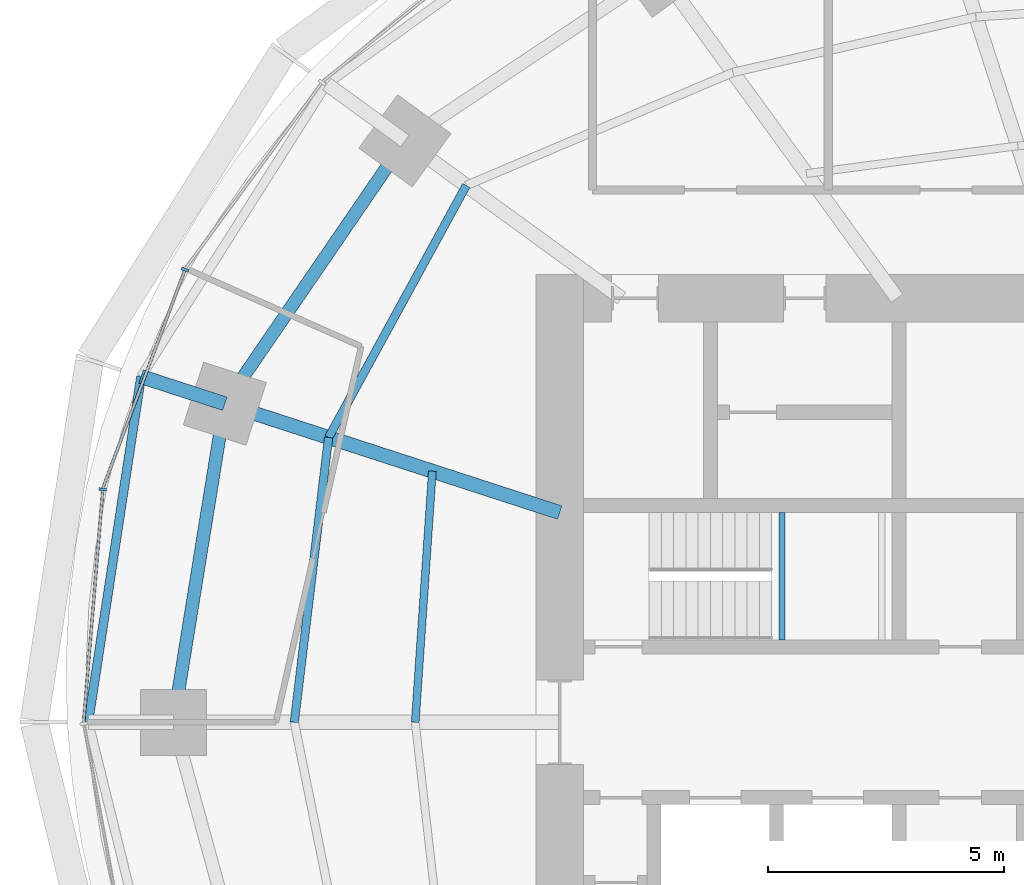
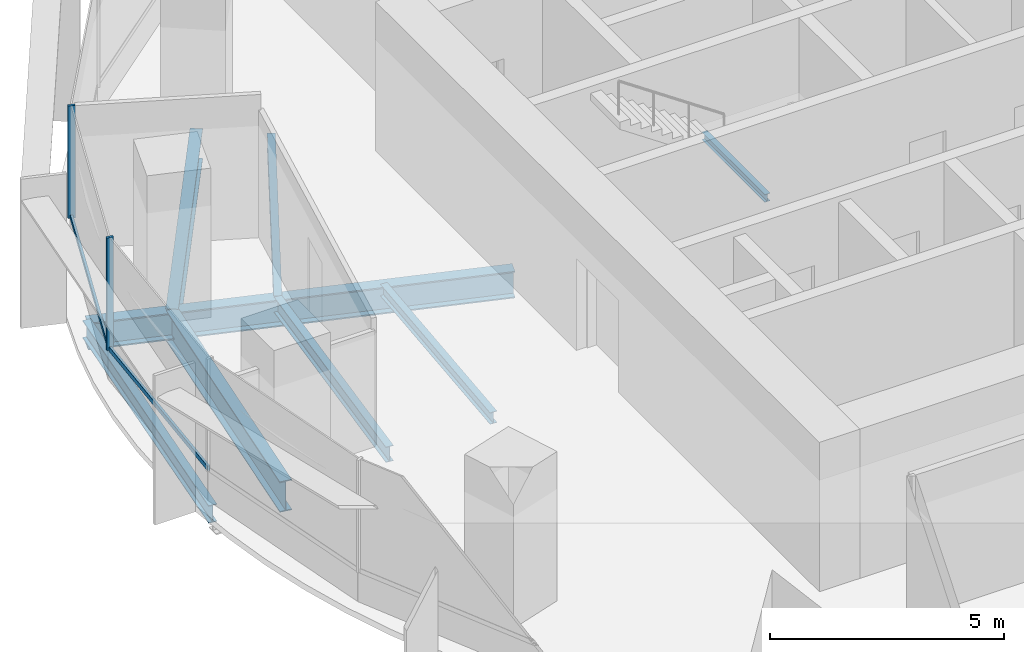
# One storey, part 4 of 14: 9 beams, 4 members, 1 element without a shape of its own.
"""IFC4 building model written with IfcOpenShell, lengths in metres."""

from ifc_helpers import new_model, si_unit, direction, frame, origin, origin_2d, place, context, subcontext, project, spatial, rectangle, i_section, extrude, material, material_profile, profile_set, type_object, element, aggregate, save


model = new_model("IFC4")

# Units and contexts
model_context = context("Model", 3, precision=1e-05, world=origin(), true_north=direction((0.0, 1.0)))
body_context = subcontext(model_context, "Body", "Model", "MODEL_VIEW")
ifc_project = project(units=[si_unit("LENGTHUNIT", "METRE"), si_unit("AREAUNIT", "SQUARE_METRE"), si_unit("VOLUMEUNIT", "CUBIC_METRE"), si_unit("PLANEANGLEUNIT", "RADIAN"), si_unit("MASSUNIT", "GRAM", prefix="KILO")], contexts=[model_context])

# Site, building, storey
site_placement = place(None, origin())
site = spatial("IfcSite", under=ifc_project, at=site_placement, CompositionType="ELEMENT")
building_placement = place(site_placement, origin())
building = spatial("IfcBuilding", under=site, at=building_placement, Name="Marramba Exchange Tower", CompositionType="ELEMENT")
storey_placement = place(building_placement, frame((0.0, 0.0, 238.39990234375)))
storey = spatial("IfcBuildingStorey", under=building, at=storey_placement, Name="L58", CompositionType="ELEMENT", Elevation=238.39990234375)

# Beams
ifc_material_1 = material(Name="Steel AS/NZS 3679.2 grade 300", Category="steel")
ifc_material_profile_1 = material_profile(ifc_material_1, i_section(OverallWidth=0.300048828125, OverallDepth=0.699951171875, WebThickness=0.010009765625, FlangeThickness=0.031982421875, at=origin_2d()), Name="700WB173")
ifc_profile_set_1 = profile_set([ifc_material_profile_1], Name="Steel AS/NZS 3679.2 grade 300")
beam_type_1 = type_object("IfcBeamType", Name="Cantilever girder 700WB173", PredefinedType="BEAM", material=ifc_profile_set_1)
beam_1_placement = place(storey_placement, frame((-20.808349609375, 6.760986328125, -0.510009765625), z_axis=(-0.951047511993, 0.309044705395, 0.0), x_axis=(-0.309044705395, -0.951047511993, 0.0)))
element("IfcBeam", 1, at=beam_1_placement, inside=storey, type_object=beam_type_1, Name="Cantilever girder L58 TC10", PredefinedType="BEAM", context=body_context, shape_type="SweptSolid", body=[
    extrude(i_section(OverallWidth=0.300048828125, OverallDepth=0.699951171875, WebThickness=0.010009765625, FlangeThickness=0.031982421875, at=origin_2d()), origin(), (0.0, 0.0, 1.0), 1.868408203125),
])
ifc_material_2 = material(Name="Steel AS/NZS 3679.1 grade 300", Category="steel")
ifc_material_profile_2 = material_profile(ifc_material_2, i_section(OverallWidth=0.166015625, OverallDepth=0.306884765625, WebThickness=0.006591796875, FlangeThickness=0.01171875, FilletRadius=0.011474609375, at=origin_2d()), Name="310UB46.2")
ifc_profile_set_2 = profile_set([ifc_material_profile_2], Name="Steel AS/NZS 3679.1 grade 300")
beam_type_2 = type_object("IfcBeamType", Name="Floor joist 310UB46.2", PredefinedType="JOIST", material=ifc_profile_set_2)
beam_2_placement = place(storey_placement, frame((-16.40283203125, 5.32958984375, -0.3134765625), z_axis=(-0.068096259546, -0.99767875563, 0.0), x_axis=(0.99767875563, -0.068096259546, 0.0)))
element("IfcBeam", 2, at=beam_2_placement, inside=storey, type_object=beam_type_2, Name="Joist L58 bay 10 row 1", PredefinedType="JOIST", context=body_context, shape_type="SweptSolid", body=[
    extrude(i_section(OverallWidth=0.166015625, OverallDepth=0.306884765625, WebThickness=0.006591796875, FlangeThickness=0.01171875, FilletRadius=0.011474609375, at=origin_2d()), origin(), (0.0, 0.0, 1.0), 5.342041015625),
])
ifc_material_profile_3 = material_profile(ifc_material_2, i_section(OverallWidth=0.177978515625, OverallDepth=0.406005859375, WebThickness=0.0078125, FlangeThickness=0.0126953125, FilletRadius=0.011474609375, at=origin_2d()), Name="410UB59.7")
ifc_profile_set_3 = profile_set([ifc_material_profile_3], Name="Steel AS/NZS 3679.1 grade 300")
beam_type_3 = type_object("IfcBeamType", Name="Floor joist 410UB59.7", PredefinedType="JOIST", material=ifc_profile_set_3)
beam_3_placement = place(storey_placement, frame((-15.682373046875, 11.393798828125, -0.36279296875), z_axis=(-0.479584443791, -0.877495732909, 0.0), x_axis=(0.877495732909, -0.479584443791, 0.0)))
element("IfcBeam", 3, at=beam_3_placement, inside=storey, type_object=beam_type_3, Name="Joist L58 bay 09 row 2", PredefinedType="JOIST", context=body_context, shape_type="SweptSolid", body=[
    extrude(i_section(OverallWidth=0.177978515625, OverallDepth=0.406005859375, WebThickness=0.0078125, FlangeThickness=0.0126953125, FilletRadius=0.011474609375, at=origin_2d()), origin(), (0.0, 0.0, 1.0), 6.094970703125),
])
beam_4_placement = place(storey_placement, frame((-18.60546875, 6.04541015625, -0.36279296875), z_axis=(-0.119523078538, -0.992831422597, 0.0), x_axis=(0.992831422597, -0.119523078538, 0.0)))
element("IfcBeam", 4, at=beam_4_placement, inside=storey, type_object=beam_type_3, Name="Joist L58 bay 10 row 2", PredefinedType="JOIST", context=body_context, shape_type="SweptSolid", body=[
    extrude(i_section(OverallWidth=0.177978515625, OverallDepth=0.406005859375, WebThickness=0.0078125, FlangeThickness=0.0126953125, FilletRadius=0.011474609375, at=origin_2d()), origin(), (0.0, 0.0, 1.0), 6.089111328125),
])

# Curtain wall, members
ifc_material_3 = material(Name="Aluminium framing, bronze anodised", Category="aluminium")
curtain_wall_type = type_object("IfcCurtainWallType", Name="Office ribbon curtain wall", PredefinedType="USERDEFINED", material=ifc_material_3)
curtain_wall_placement = place(storey_placement, origin())
curtain_wall = element("IfcCurtainWall", 5, at=curtain_wall_placement, inside=storey, type_object=curtain_wall_type, Name="Curtain wall CW4 L58 F11-F15", ObjectType="RIBBON CURTAIN WALL", PredefinedType="USERDEFINED")
ifc_material_4 = material(Name="Aluminium mullion, bronze anodised", Category="aluminium")
ifc_material_profile_4 = material_profile(ifc_material_4, rectangle(XDim=0.159912109375, YDim=0.06005859375, at=origin_2d()), Name="CW4 mullion 60x160")
ifc_profile_set_4 = profile_set([ifc_material_profile_4], Name="Aluminium mullion, bronze anodised")
member_type_1 = type_object("IfcMemberType", Name="Office ribbon curtain wall mullion", PredefinedType="MULLION", material=ifc_profile_set_4)
member_1_placement = place(storey_placement, frame((-21.65283203125, 9.607666015625, 0.800048828125), z_axis=(0.0, 0.0, 1.0), x_axis=(0.936018231909, -0.351951515885, 0.0)))
member_1 = element("IfcMember", 6, at=member_1_placement, type_object=member_type_1, Name="CW4 mullion 1", PredefinedType="MULLION", context=body_context, shape_type="SweptSolid", body=[
    extrude(rectangle(XDim=0.159912109375, YDim=0.06005859375, at=origin_2d()), origin(), (0.0, 0.0, 1.0), 2.93994140625),
])
member_2_placement = place(storey_placement, frame((-23.39794921875, 4.94287109375, 0.800048828125), z_axis=(0.0, 0.0, 1.0), x_axis=(0.996609178714, -0.082280890264, 0.0)))
member_2 = element("IfcMember", 7, at=member_2_placement, type_object=member_type_1, Name="CW4 mullion 1", PredefinedType="MULLION", context=body_context, shape_type="SweptSolid", body=[
    extrude(rectangle(XDim=0.159912109375, YDim=0.06005859375, at=origin_2d()), origin(), (0.0, 0.0, 1.0), 2.93994140625),
])
ifc_material_5 = material(Name="Aluminium transom, bronze anodised", Category="aluminium")
ifc_material_profile_5 = material_profile(ifc_material_5, rectangle(XDim=0.06005859375, YDim=0.1201171875, at=origin_2d()), Name="CW4 transom 60x120")
ifc_profile_set_5 = profile_set([ifc_material_profile_5], Name="Aluminium transom, bronze anodised")
member_type_2 = type_object("IfcMemberType", Name="Office ribbon curtain wall transom", PredefinedType="USERDEFINED", material=ifc_profile_set_5)
member_3_placement = place(storey_placement, frame((-21.663330078125, 9.57958984375, 0.830078125), z_axis=(-0.351955054115, -0.936016901494, 0.0), x_axis=(0.936016901494, -0.351955054115, 0.0)))
member_3 = element("IfcMember", 8, at=member_3_placement, type_object=member_type_2, Name="CW4 sill transom", ObjectType="TRANSOM", PredefinedType="USERDEFINED", context=body_context, shape_type="SweptSolid", body=[
    extrude(rectangle(XDim=0.06005859375, YDim=0.1201171875, at=origin_2d()), origin(), (0.0, 0.0, 1.0), 4.921630859375),
])
member_4_placement = place(storey_placement, frame((-23.400390625, 4.9130859375, 0.830078125), z_axis=(-0.082258542539, -0.996611023509, 0.0), x_axis=(0.996611023509, -0.082258542539, 0.0)))
member_4 = element("IfcMember", 9, at=member_4_placement, type_object=member_type_2, Name="CW4 sill transom", ObjectType="TRANSOM", PredefinedType="USERDEFINED", context=body_context, shape_type="SweptSolid", body=[
    extrude(rectangle(XDim=0.06005859375, YDim=0.1201171875, at=origin_2d()), origin(), (0.0, 0.0, 1.0), 4.9296875),
])
aggregate(curtain_wall, [member_1, member_3, member_2, member_4])

# Beams
ifc_material_profile_6 = material_profile(ifc_material_1, i_section(OverallWidth=0.300048828125, OverallDepth=0.699951171875, WebThickness=0.010009765625, FlangeThickness=0.031982421875, at=origin_2d()), Name="700WB173")
ifc_profile_set_6 = profile_set([ifc_material_profile_6], Name="Steel AS/NZS 3679.2 grade 300")
beam_type_4 = type_object("IfcBeamType", Name="Radial girder 700WB173", PredefinedType="BEAM", material=ifc_profile_set_6)
beam_5_placement = place(storey_placement, frame((-13.699951171875, 4.451416015625, -0.510009765625), z_axis=(-0.951059990189, 0.309006302624, 0.0), x_axis=(-0.309006302624, -0.951059990189, 0.0)))
element("IfcBeam", 10, at=beam_5_placement, inside=storey, type_object=beam_type_4, Name="Radial girder L58 TC10", PredefinedType="BEAM", context=body_context, shape_type="SweptSolid", body=[
    extrude(i_section(OverallWidth=0.300048828125, OverallDepth=0.699951171875, WebThickness=0.010009765625, FlangeThickness=0.031982421875, at=origin_2d()), origin(), (0.0, 0.0, 1.0), 7.47412109375),
])
ifc_material_profile_7 = material_profile(ifc_material_1, i_section(OverallWidth=0.27490234375, OverallDepth=0.800048828125, WebThickness=0.010009765625, FlangeThickness=0.02490234375, at=origin_2d()), Name="800WB168")
ifc_profile_set_7 = profile_set([ifc_material_profile_7], Name="Steel AS/NZS 3679.2 grade 300")
beam_type_5 = type_object("IfcBeamType", Name="Ring beam 800WB168", PredefinedType="SPANDREL", material=ifc_profile_set_7)
beam_6_placement = place(storey_placement, frame((-16.98583984375, 12.3408203125, -0.559814453125), z_axis=(-0.56516002054, -0.824981303535, 0.0), x_axis=(0.824981303535, -0.56516002054, 0.0)))
element("IfcBeam", 11, at=beam_6_placement, inside=storey, type_object=beam_type_5, Name="Ring beam L58 TC09-TC10", PredefinedType="SPANDREL", context=body_context, shape_type="SweptSolid", body=[
    extrude(i_section(OverallWidth=0.27490234375, OverallDepth=0.800048828125, WebThickness=0.010009765625, FlangeThickness=0.02490234375, at=origin_2d()), origin(), (0.0, 0.0, 1.0), 6.763671875),
])
beam_7_placement = place(storey_placement, frame((-20.808349609375, 6.760986328125, -0.559814453125), z_axis=(-0.159384865399, -0.987216523708, 0.0), x_axis=(0.987216523708, -0.159384865399, 0.0)))
element("IfcBeam", 12, at=beam_7_placement, inside=storey, type_object=beam_type_5, Name="Ring beam L58 TC10-TC11", PredefinedType="SPANDREL", context=body_context, shape_type="SweptSolid", body=[
    extrude(i_section(OverallWidth=0.27490234375, OverallDepth=0.800048828125, WebThickness=0.010009765625, FlangeThickness=0.02490234375, at=origin_2d()), origin(), (0.0, 0.0, 1.0), 6.8486328125),
])
ifc_material_profile_8 = material_profile(ifc_material_2, i_section(OverallWidth=0.19091796875, OverallDepth=0.4599609375, WebThickness=0.010009765625, FlangeThickness=0.01611328125, FilletRadius=0.011474609375, at=origin_2d()), Name="460UB82.1")
ifc_profile_set_8 = profile_set([ifc_material_profile_8], Name="Steel AS/NZS 3679.1 grade 300")
beam_type_6 = type_object("IfcBeamType", Name="Slab edge beam 460UB82.1", PredefinedType="SPANDREL", material=ifc_profile_set_8)
beam_8_placement = place(storey_placement, frame((-22.585205078125, 7.33837890625, -0.389892578125), z_axis=(-0.150987012186, -0.988535746522, 0.0), x_axis=(0.988535746522, -0.150987012186, 0.0)))
element("IfcBeam", 13, at=beam_8_placement, inside=storey, type_object=beam_type_6, Name="Slab edge beam L58 TC10-TC11", PredefinedType="SPANDREL", context=body_context, shape_type="SweptSolid", body=[
    extrude(i_section(OverallWidth=0.19091796875, OverallDepth=0.4599609375, WebThickness=0.010009765625, FlangeThickness=0.01611328125, FilletRadius=0.011474609375, at=origin_2d()), origin(), (0.0, 0.0, 1.0), 7.423583984375),
])
ifc_material_profile_9 = material_profile(ifc_material_2, i_section(OverallWidth=0.133056640625, OverallDepth=0.202880859375, WebThickness=0.005859375, FlangeThickness=0.0078125, FilletRadius=0.0087890625, at=origin_2d()), Name="200UB25.4")
ifc_profile_set_9 = profile_set([ifc_material_profile_9], Name="Steel AS/NZS 3679.1 grade 300")
beam_type_7 = type_object("IfcBeamType", Name="Stair landing beam 200UB25.4", PredefinedType="BEAM", material=ifc_profile_set_9)
beam_9_placement = place(storey_placement, frame((-8.9833984375, 1.75, 1.648681640625), z_axis=(0.0, 1.0, 0.0), x_axis=(-1.0, 0.0, 0.0)))
element("IfcBeam", 14, at=beam_9_placement, inside=storey, type_object=beam_type_7, Name="Stair landing beam SLB1 ST1 L58 1", PredefinedType="BEAM", context=body_context, shape_type="SweptSolid", body=[
    extrude(i_section(OverallWidth=0.133056640625, OverallDepth=0.202880859375, WebThickness=0.005859375, FlangeThickness=0.0078125, FilletRadius=0.0087890625, at=origin_2d()), origin(), (0.0, 0.0, 1.0), 2.699951171875),
])

save(model, "model.ifc")
